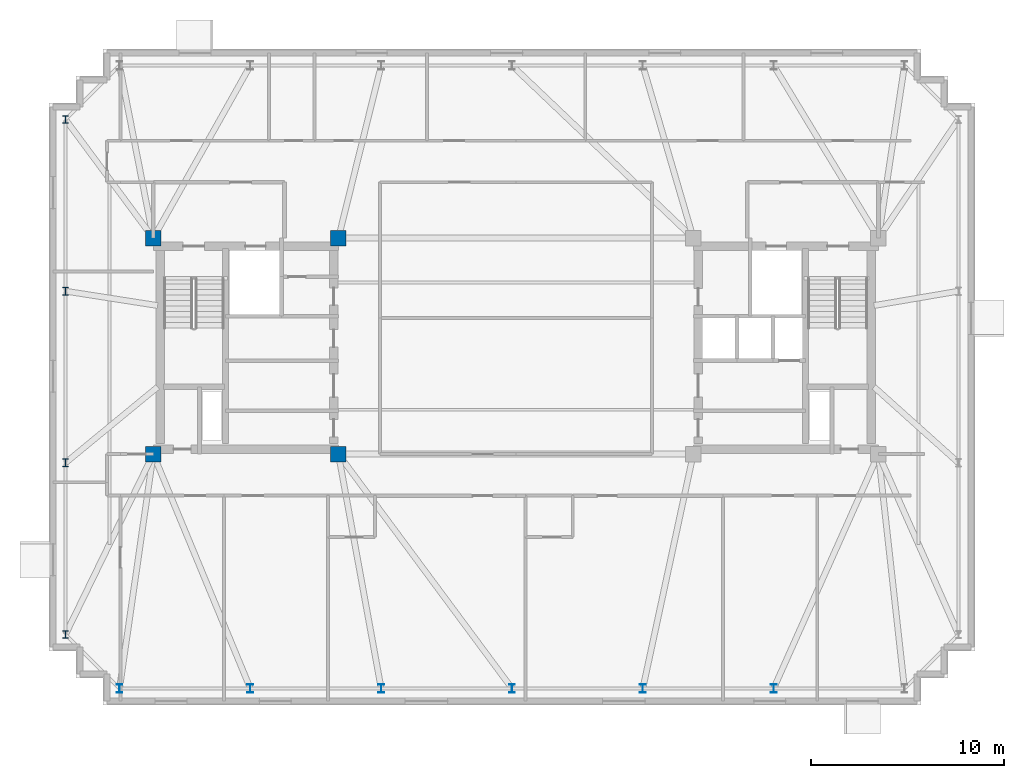
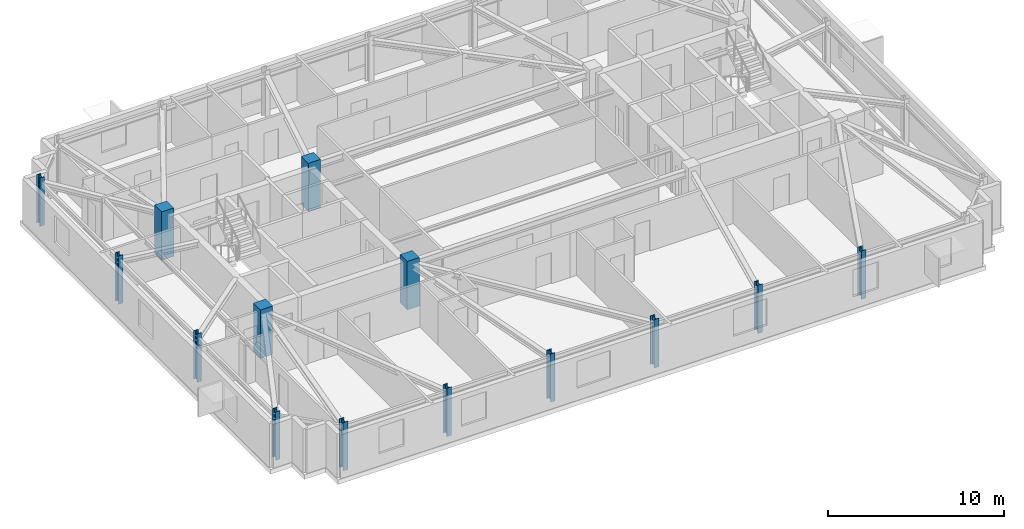
# One storey, part 1 of 11: 14 columns.
"""IFC4 building model written with IfcOpenShell, lengths in metres."""

from ifc_helpers import new_model, si_unit, direction, frame, origin, origin_2d, place, context, subcontext, project, spatial, rectangle, i_section, extrude, material, material_profile, profile_set, type_object, element, save


model = new_model("IFC4")

# Units and contexts
model_context = context("Model", 3, precision=1e-05, world=origin(), true_north=direction((0.0, 1.0)))
body_context = subcontext(model_context, "Body", "Model", "MODEL_VIEW")
ifc_project = project(units=[si_unit("LENGTHUNIT", "METRE"), si_unit("AREAUNIT", "SQUARE_METRE"), si_unit("VOLUMEUNIT", "CUBIC_METRE"), si_unit("PLANEANGLEUNIT", "RADIAN"), si_unit("MASSUNIT", "GRAM", prefix="KILO")], contexts=[model_context])

# Site, building, storey
site_placement = place(None, origin())
site = spatial("IfcSite", under=ifc_project, at=site_placement, CompositionType="ELEMENT")
building_placement = place(site_placement, origin())
building = spatial("IfcBuilding", under=site, at=building_placement, Name="Qobustan Lattice House", CompositionType="ELEMENT")
storey_placement = place(building_placement, frame((0.0, 0.0, 251.75)))
storey = spatial("IfcBuildingStorey", under=building, at=storey_placement, Name="L71", CompositionType="ELEMENT", Elevation=251.75)

# Columns
ifc_material_1 = material(Name="Concrete C50/60", Category="concrete")
ifc_material_profile_1 = material_profile(ifc_material_1, rectangle(XDim=0.800048828125, YDim=0.800048828125, at=origin_2d()), Name="RC800x800")
ifc_profile_set_1 = profile_set([ifc_material_profile_1], Name="Concrete C50/60")
column_type_1 = type_object("IfcColumnType", Name="COL-RC-800", PredefinedType="COLUMN", material=ifc_profile_set_1)
for number, where, z_axis, x_axis, name in (
    (1, (-18.800048828125, -5.60009765625, 0.0), (0.0, 0.0, 1.0), (1.0, 0.0, 0.0), "L71 core mega-column CW-SW"),
    (2, (-18.800048828125, 5.60009765625, 0.0), (0.0, 0.0, 1.0), (1.0, 0.0, 0.0), "L71 core mega-column CW-NW"),
    (3, (-9.199951171875, -5.60009765625, 0.0), (0.0, 0.0, 1.0), (1.0, 0.0, 0.0), "L71 core mega-column CW-SE"),
    (4, (-9.199951171875, 5.60009765625, 0.0), (0.0, 0.0, 1.0), (1.0, 0.0, 0.0), "L71 core mega-column CW-NE"),
):
    element("IfcColumn", number, at=place(storey_placement, frame(where, z_axis=z_axis, x_axis=x_axis)), inside=storey, type_object=column_type_1, Name=name, PredefinedType="COLUMN", context=body_context, shape_type="SweptSolid", body=[
        extrude(rectangle(XDim=0.800048828125, YDim=0.800048828125, at=origin_2d()), origin(), (0.0, 0.0, 1.0), 3.35009765625),
    ])
ifc_material_2 = material(Name="Steel S355", Category="steel")
ifc_material_profile_2 = material_profile(ifc_material_2, i_section(OverallWidth=0.300048828125, OverallDepth=0.39990234375, WebThickness=0.013427734375, FlangeThickness=0.02392578125, FilletRadius=0.027099609375, at=origin_2d()), Name="HEB400")
ifc_profile_set_2 = profile_set([ifc_material_profile_2], Name="Steel S355")
column_type_2 = type_object("IfcColumnType", Name="COL-ST-HEB400", PredefinedType="COLUMN", material=ifc_profile_set_2)
for number, where, z_axis, x_axis, name in (
    (5, (-23.35009765625, 11.75, 0.0), (0.0, 0.0, 1.0), (1.0, 0.0, 0.0), "L71 B5 perimeter column W1"),
    (6, (-23.35009765625, 2.85009765625, 0.0), (0.0, 0.0, 1.0), (1.0, 0.0, 0.0), "L71 B5 perimeter column W2"),
    (7, (-23.35009765625, -6.050048828125, 0.0), (0.0, 0.0, 1.0), (1.0, 0.0, 0.0), "L71 B5 perimeter column W3"),
    (8, (-23.35009765625, -14.949951171875, 0.0), (0.0, 0.0, 1.0), (1.0, 0.0, 0.0), "L71 B5 perimeter column W4"),
):
    element("IfcColumn", number, at=place(storey_placement, frame(where, z_axis=z_axis, x_axis=x_axis)), inside=storey, type_object=column_type_2, Name=name, PredefinedType="COLUMN", context=body_context, shape_type="SweptSolid", body=[
        extrude(i_section(OverallWidth=0.300048828125, OverallDepth=0.39990234375, WebThickness=0.013427734375, FlangeThickness=0.02392578125, FilletRadius=0.027099609375, at=origin_2d()), origin(), (0.0, 0.0, 1.0), 3.35009765625),
    ])
ifc_material_3 = material(Name="Steel S355", Category="steel")
ifc_material_profile_3 = material_profile(ifc_material_3, i_section(OverallWidth=0.300048828125, OverallDepth=0.449951171875, WebThickness=0.013916015625, FlangeThickness=0.02587890625, FilletRadius=0.027099609375, at=origin_2d()), Name="HEB450")
ifc_profile_set_3 = profile_set([ifc_material_profile_3], Name="Steel S355")
column_type_3 = type_object("IfcColumnType", Name="COL-ST-HEB450", PredefinedType="COLUMN", material=ifc_profile_set_3)
for number, where, z_axis, x_axis, name in (
    (9, (-20.550048828125, -17.75, 0.0), (0.0, 0.0, 1.0), (1.0, 0.0, 0.0), "L71 B5 perimeter column S1"),
    (10, (-13.7666015625, -17.75, 0.0), (0.0, 0.0, 1.0), (1.0, 0.0, 0.0), "L71 B5 perimeter column S2"),
    (11, (-6.9833984375, -17.75, 0.0), (0.0, 0.0, 1.0), (1.0, 0.0, 0.0), "L71 B5 perimeter column S3"),
    (12, (-0.199951171875, -17.75, 0.0), (0.0, 0.0, 1.0), (1.0, 0.0, 0.0), "L71 B5 perimeter column S4"),
    (13, (6.583251953125, -17.75, 0.0), (0.0, 0.0, 1.0), (1.0, 0.0, 0.0), "L71 B5 perimeter column S5"),
    (14, (13.36669921875, -17.75, 0.0), (0.0, 0.0, 1.0), (1.0, 0.0, 0.0), "L71 B5 perimeter column S6"),
):
    element("IfcColumn", number, at=place(storey_placement, frame(where, z_axis=z_axis, x_axis=x_axis)), inside=storey, type_object=column_type_3, Name=name, PredefinedType="COLUMN", context=body_context, shape_type="SweptSolid", body=[
        extrude(i_section(OverallWidth=0.300048828125, OverallDepth=0.449951171875, WebThickness=0.013916015625, FlangeThickness=0.02587890625, FilletRadius=0.027099609375, at=origin_2d()), origin(), (0.0, 0.0, 1.0), 3.35009765625),
    ])

save(model, "model.ifc")
